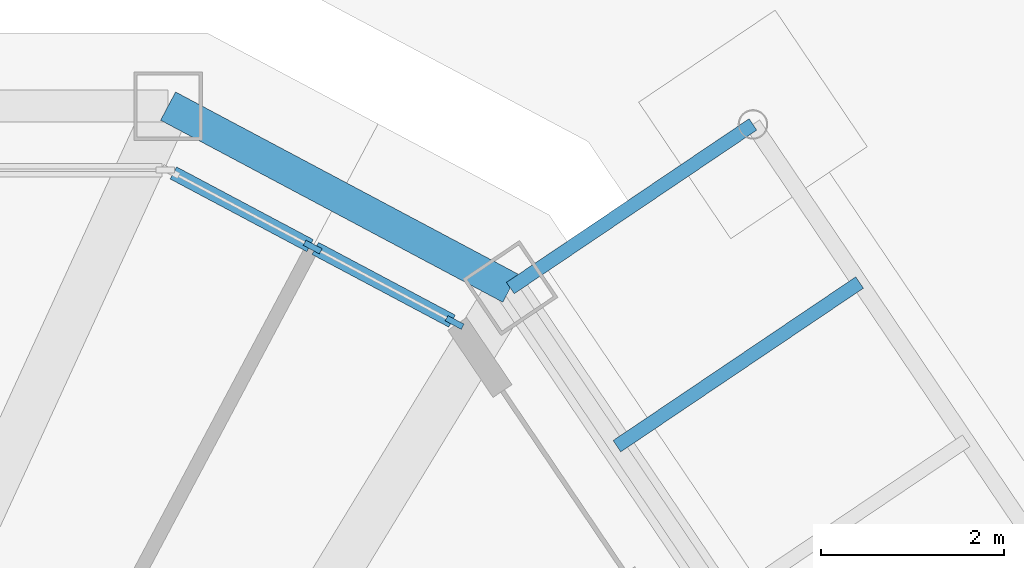
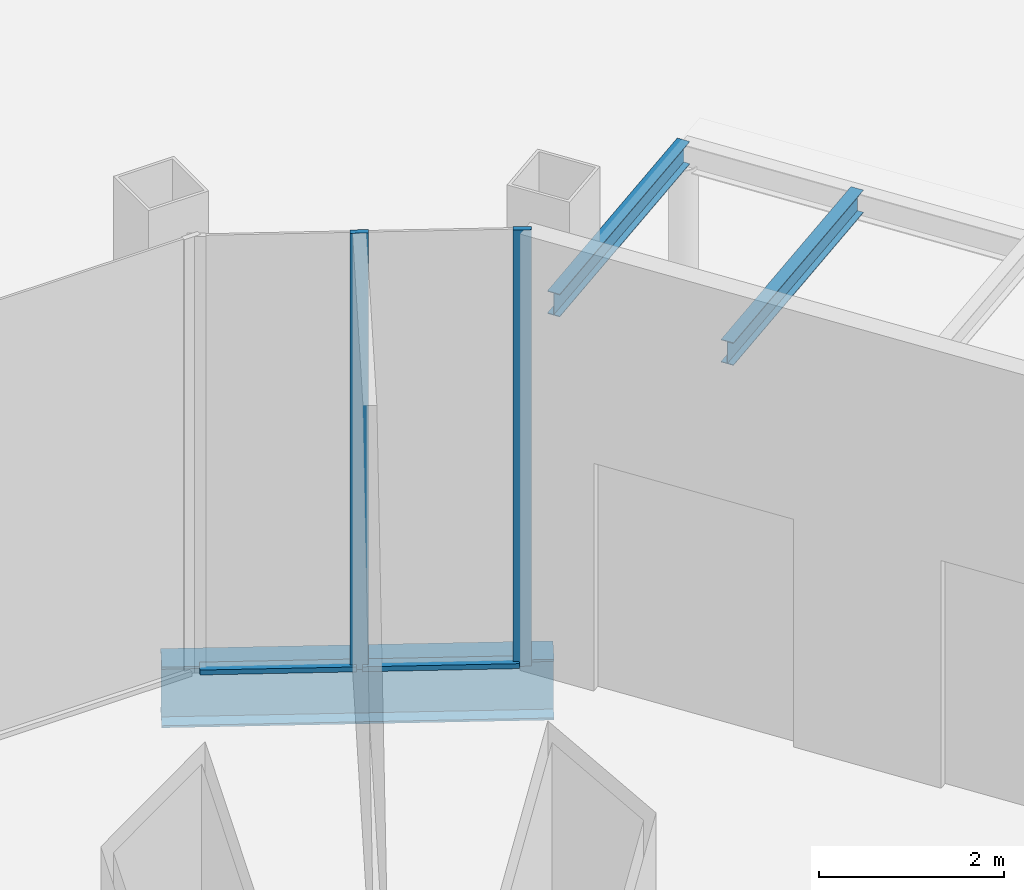
# One storey, part 23 of 45: 4 members, 3 beams, 1 element without a shape of its own.
"""IFC4 building model written with IfcOpenShell, lengths in metres."""

from ifc_helpers import new_model, si_unit, direction, frame, origin, origin_2d, place, context, subcontext, project, spatial, rectangle, i_section, extrude, material, material_profile, profile_set, type_object, element, aggregate, save


model = new_model("IFC4")

# Units and contexts
model_context = context("Model", 3, precision=1e-05, world=origin(), true_north=direction((0.0, 1.0)))
body_context = subcontext(model_context, "Body", "Model", "MODEL_VIEW")
ifc_project = project(units=[si_unit("LENGTHUNIT", "METRE"), si_unit("AREAUNIT", "SQUARE_METRE"), si_unit("VOLUMEUNIT", "CUBIC_METRE"), si_unit("PLANEANGLEUNIT", "RADIAN"), si_unit("MASSUNIT", "GRAM", prefix="KILO")], contexts=[model_context])

# Site, building, storey
site_placement = place(None, origin())
site = spatial("IfcSite", under=ifc_project, at=site_placement, CompositionType="ELEMENT")
building_placement = place(site_placement, origin())
building = spatial("IfcBuilding", under=site, at=building_placement, Name="Qingtian Harvest Tower", CompositionType="ELEMENT")
storey_placement = place(building_placement, origin())
storey = spatial("IfcBuildingStorey", under=building, at=storey_placement, Name="L00", CompositionType="ELEMENT", Elevation=0.0)

# Beams
ifc_material_1 = material(Name="Steel SN490B", Category="steel")
ifc_material_profile_1 = material_profile(ifc_material_1, i_section(OverallWidth=0.14990234375, OverallDepth=0.300048828125, WebThickness=0.006591796875, FlangeThickness=0.009033203125, at=origin_2d()), Name="H300x150x6.5x9")
ifc_profile_set_1 = profile_set([ifc_material_profile_1], Name="Steel SN490B")
beam_type_1 = type_object("IfcBeamType", Name="Canopy beam CB1 H300x150x6.5x9", PredefinedType="BEAM", material=ifc_profile_set_1)
beam_1_placement = place(storey_placement, frame((18.888427734375, 31.01025390625, 4.31005859375), z_axis=(0.829033471818, 0.559198983015, 0.0), x_axis=(-0.559198983015, 0.829033471818, 0.0)))
element("IfcBeam", 1, at=beam_1_placement, inside=storey, type_object=beam_type_1, Name="Canopy beam CB1 CN2 0", PredefinedType="BEAM", context=body_context, shape_type="SweptSolid", body=[
    extrude(i_section(OverallWidth=0.14990234375, OverallDepth=0.300048828125, WebThickness=0.006591796875, FlangeThickness=0.009033203125, at=origin_2d()), origin(), (0.0, 0.0, 1.0), 3.2001953125),
])
beam_2_placement = place(storey_placement, frame((20.0546875, 29.281494140625, 4.31005859375), z_axis=(0.829044984211, 0.559181915082, 0.0), x_axis=(-0.559181915082, 0.829044984211, 0.0)))
element("IfcBeam", 2, at=beam_2_placement, inside=storey, type_object=beam_type_1, Name="Canopy rafter CB1 CN2 0.1", PredefinedType="BEAM", context=body_context, shape_type="SweptSolid", body=[
    extrude(i_section(OverallWidth=0.14990234375, OverallDepth=0.300048828125, WebThickness=0.006591796875, FlangeThickness=0.009033203125, at=origin_2d()), origin(), (0.0, 0.0, 1.0), 3.199951171875),
])

# Curtain wall, members
ifc_material_2 = material(Name="Bronze-anodised aluminium curtain wall", Category="aluminium")
curtain_wall_type = type_object("IfcCurtainWallType", Name="Curtain wall CW1 podium shopfront", PredefinedType="USERDEFINED", material=ifc_material_2)
curtain_wall_placement = place(storey_placement, origin())
curtain_wall = element("IfcCurtainWall", 3, at=curtain_wall_placement, inside=storey, type_object=curtain_wall_type, Name="Curtain wall CW1 L00 NC", ObjectType="RECESSED CURTAIN WALL", PredefinedType="USERDEFINED")
ifc_material_3 = material(Name="Bronze-anodised aluminium mullion", Category="aluminium")
ifc_material_profile_2 = material_profile(ifc_material_3, rectangle(XDim=0.06494140625, YDim=0.199951171875, at=origin_2d()), Name="AL 65x200")
ifc_profile_set_2 = profile_set([ifc_material_profile_2], Name="Bronze-anodised aluminium mullion")
member_type_1 = type_object("IfcMemberType", Name="Mullion CWM 65x200", PredefinedType="MULLION", material=ifc_profile_set_2)
member_1_placement = place(storey_placement, frame((16.727294921875, 31.45947265625, 0.0), z_axis=(0.0, 0.0, 1.0), x_axis=(0.469471562786, 0.882947592859, 0.0)))
member_1 = element("IfcMember", 4, at=member_1_placement, type_object=member_type_1, Name="CW1 mullion 2", PredefinedType="MULLION", context=body_context, shape_type="SweptSolid", body=[
    extrude(rectangle(XDim=0.06494140625, YDim=0.199951171875, at=origin_2d()), origin(), (0.0, 0.0, 1.0), 5.75),
])
member_2_placement = place(storey_placement, frame((18.279541015625, 30.634033203125, 0.0), z_axis=(0.0, 0.0, 1.0), x_axis=(0.469471562786, 0.882947592859, 0.0)))
member_2 = element("IfcMember", 5, at=member_2_placement, type_object=member_type_1, Name="CW1 mullion 3", PredefinedType="MULLION", context=body_context, shape_type="SweptSolid", body=[
    extrude(rectangle(XDim=0.06494140625, YDim=0.199951171875, at=origin_2d()), origin(), (0.0, 0.0, 1.0), 5.75),
])

# Beam
ifc_material_4 = material(Name="Steel SN490B", Category="steel")
ifc_material_profile_3 = material_profile(ifc_material_4, i_section(OverallWidth=0.35009765625, OverallDepth=0.800048828125, WebThickness=0.01611328125, FlangeThickness=0.028076171875, at=origin_2d()), Name="H800x350x16x28")
ifc_profile_set_3 = profile_set([ifc_material_profile_3], Name="Steel SN490B")
beam_type_2 = type_object("IfcBeamType", Name="Podium beam PB1 H800x350x16x28", PredefinedType="BEAM", material=ifc_profile_set_3)
beam_3_placement = place(storey_placement, frame((15.146484375, 33.0, -0.64990234375), z_axis=(0.882935902835, -0.469493547863, 0.0), x_axis=(0.469493547863, 0.882935902835, 0.0)))
element("IfcBeam", 6, at=beam_3_placement, inside=storey, type_object=beam_type_2, Name="Podium edge beam PB1 N4", PredefinedType="BEAM", context=body_context, shape_type="SweptSolid", body=[
    extrude(i_section(OverallWidth=0.35009765625, OverallDepth=0.800048828125, WebThickness=0.01611328125, FlangeThickness=0.028076171875, at=origin_2d()), origin(), (0.0, 0.0, 1.0), 4.238037109375),
])

# Member
ifc_material_5 = material(Name="Bronze-anodised aluminium transom", Category="aluminium")
ifc_material_profile_4 = material_profile(ifc_material_5, rectangle(XDim=0.14990234375, YDim=0.06494140625, at=origin_2d()), Name="AL 65x150")
ifc_profile_set_4 = profile_set([ifc_material_profile_4], Name="Bronze-anodised aluminium transom")
member_type_2 = type_object("IfcMemberType", Name="Transom CWT 65x150", PredefinedType="USERDEFINED", material=ifc_profile_set_4)
member_3_placement = place(storey_placement, frame((15.203857421875, 32.26953125, 0.032470703125), z_axis=(0.882895287784, -0.469569921108, 0.0), x_axis=(0.469569921108, 0.882895287784, 0.0)))
member_3 = element("IfcMember", 7, at=member_3_placement, type_object=member_type_2, Name="CW1 transom 1.1", ObjectType="TRANSOM", PredefinedType="USERDEFINED", context=body_context, shape_type="SweptSolid", body=[
    extrude(rectangle(XDim=0.14990234375, YDim=0.06494140625, at=origin_2d()), origin(), (0.0, 0.0, 1.0), 1.69287109375),
])

member_4_placement = place(storey_placement, frame((16.755859375, 31.444091796875, 0.032470703125), z_axis=(0.882986854304, -0.469397715297, 0.0), x_axis=(0.469397715297, 0.882986854304, 0.0)))
member_4 = element("IfcMember", 8, at=member_4_placement, type_object=member_type_2, Name="CW1 transom 2.1", ObjectType="TRANSOM", PredefinedType="USERDEFINED", context=body_context, shape_type="SweptSolid", body=[
    extrude(rectangle(XDim=0.14990234375, YDim=0.06494140625, at=origin_2d()), origin(), (0.0, 0.0, 1.0), 1.69287109375),
])

aggregate(curtain_wall, [member_1, member_2, member_3, member_4])

save(model, "model.ifc")
